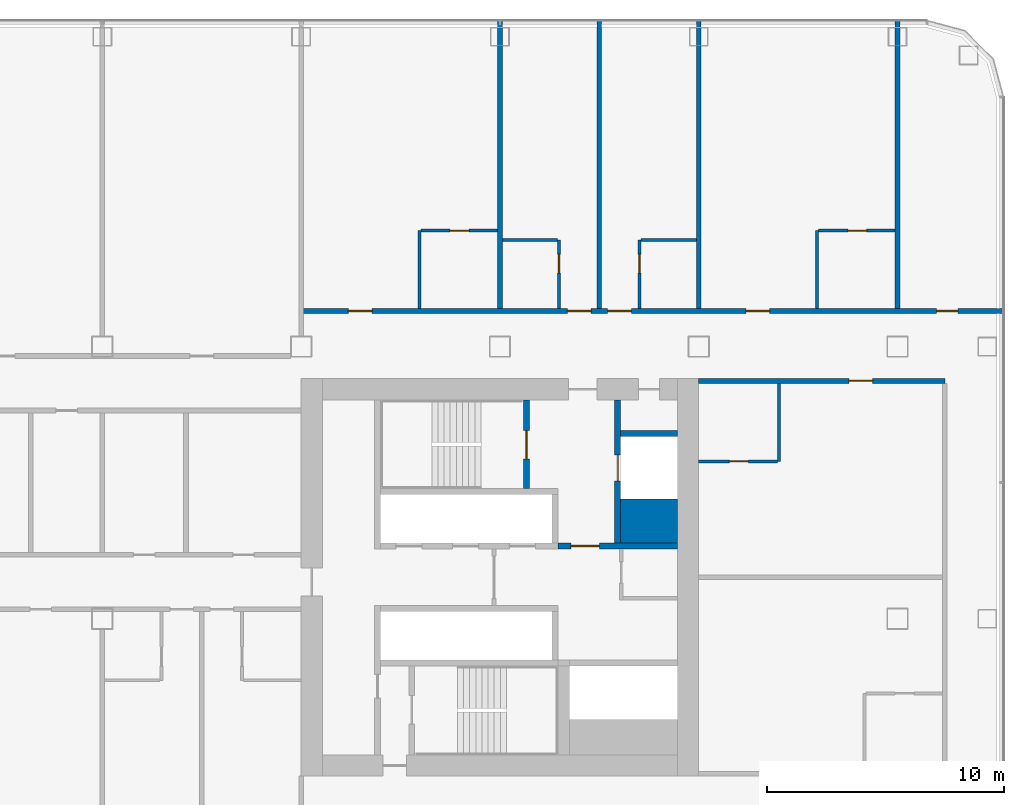
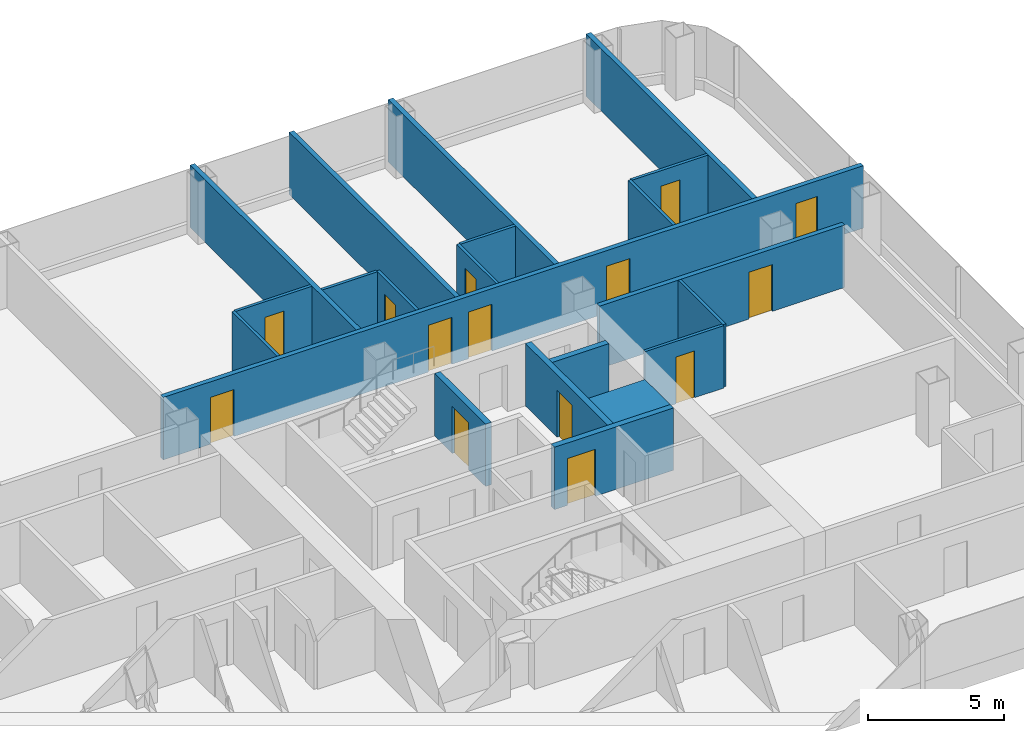
# One storey, part 20 of 29: 21 walls, 14 doors, 14 openings.
"""IFC4 building model written with IfcOpenShell, lengths in metres."""

from ifc_helpers import new_model, si_unit, direction, frame, frame_2d, origin, place, context, subcontext, project, spatial, rectangle, extrude, material, layer, layer_set, type_object, element, fill, save


model = new_model("IFC4")

# Units and contexts
model_context = context("Model", 3, precision=1e-05, world=origin(), true_north=direction((0.0, 1.0)))
body_context = subcontext(model_context, "Body", "Model", "MODEL_VIEW")
ifc_project = project(units=[si_unit("LENGTHUNIT", "METRE"), si_unit("AREAUNIT", "SQUARE_METRE"), si_unit("VOLUMEUNIT", "CUBIC_METRE"), si_unit("PLANEANGLEUNIT", "RADIAN"), si_unit("MASSUNIT", "GRAM", prefix="KILO")], contexts=[model_context])

# Site, building, storey
site_placement = place(None, origin())
site = spatial("IfcSite", under=ifc_project, at=site_placement, CompositionType="ELEMENT")
building_placement = place(site_placement, origin())
building = spatial("IfcBuilding", under=site, at=building_placement, Name="Hakoniwa Tower and Hamabe Station Hall", CompositionType="ELEMENT")
storey_placement = place(building_placement, frame((0.0, 0.0, 113.800048828125)))
storey = spatial("IfcBuildingStorey", under=building, at=storey_placement, Name="L32", CompositionType="ELEMENT", Elevation=113.800048828125)

# Wall, opening, door
ifc_material_1 = material(Name="Gypsum board partition", Category="gypsum")
ifc_layer_1 = layer(ifc_material_1, 0.125)
ifc_layer_set_1 = layer_set([ifc_layer_1], Name="Bathroom Partition 125")
wall_type_1 = type_object("IfcWallType", Name="Bathroom Partition 125", PredefinedType="PARTITIONING", material=ifc_layer_set_1)
wall_1_placement = place(storey_placement, frame((33.60009765625, 4.89990234375, 0.0), z_axis=(0.0, 0.0, 1.0), x_axis=(1.0, 0.0, 0.0)))
wall_1 = element("IfcWall", 1, at=wall_1_placement, inside=storey, type_object=wall_type_1, Name="GW-L32-017", PredefinedType="PARTITIONING", context=body_context, shape_type="SweptSolid", body=[
    extrude(rectangle(XDim=3.33740234375, YDim=0.125, at=frame_2d((1.668701171875, 0.0))), origin(), (0.0, 0.0, 1.0), 2.800048828125),
])
opening_1_placement = place(wall_1_placement, frame((1.300048828125, 0.0, 0.0)))
opening_1 = element("IfcOpeningElement", 2, at=opening_1_placement, cuts=wall_1, Name="Opening GD-G2C2-29", PredefinedType="OPENING", context=body_context, shape_type="SweptSolid", body=[
    extrude(rectangle(XDim=0.800048828125, YDim=2.10009765625, at=frame_2d((0.39990234375, 1.050048828125))), frame((0.0, 0.072509765625, 0.0), z_axis=(0.0, -1.0, 0.0), x_axis=(1.0, 0.0, 0.0)), (0.0, 0.0, 1.0), 0.14501953125),
])
ifc_material_2 = material(Name="Timber door leaf", Category="wood")
door_type_1 = type_object("IfcDoorType", Name="Bathroom Door 800", OperationType="SINGLE_SWING_LEFT", PredefinedType="DOOR", material=ifc_material_2)
door_1_placement = place(opening_1_placement, origin())
door_1 = element("IfcDoor", 3, at=door_1_placement, inside=storey, type_object=door_type_1, Name="Door GD-G2C2-29", OperationType="SINGLE_SWING_LEFT", OverallHeight=2.10009765625, OverallWidth=0.800048828125, PredefinedType="DOOR", context=body_context, shape_type="SweptSolid", body=[
    extrude(rectangle(XDim=0.800048828125, YDim=2.10009765625, at=frame_2d((0.39990234375, 1.050048828125))), frame((0.0, 0.02490234375, 0.0), z_axis=(0.0, -1.0, 0.0), x_axis=(1.0, 0.0, 0.0)), (0.0, 0.0, 1.0), 0.050048828125),
])
fill(opening_1, door_1)

# Walls
for number, where, z_axis, x_axis, name in (
    (4, (25.300048828125, 14.25, 0.0), (0.0, 0.0, 1.0), (1.0, 0.0, 0.0), "GW-L32-031"),
    (5, (31.16259765625, 14.25, 0.0), (0.0, 0.0, 1.0), (1.0, 0.0, 0.0), "GW-L32-032"),
):
    element("IfcWall", number, at=place(storey_placement, frame(where, z_axis=z_axis, x_axis=x_axis)), inside=storey, type_object=wall_type_1, Name=name, PredefinedType="PARTITIONING", context=body_context, shape_type="SweptSolid", body=[
        extrude(rectangle(XDim=2.33740234375, YDim=0.125, at=frame_2d((1.168701171875, 0.0))), origin(), (0.0, 0.0, 1.0), 2.800048828125),
    ])

# Wall, opening, door
wall_2_placement = place(storey_placement, frame((21.862548828125, 14.64990234375, 0.0), z_axis=(0.0, 0.0, 1.0), x_axis=(1.0, 0.0, 0.0)))
wall_2 = element("IfcWall", 6, at=wall_2_placement, inside=storey, type_object=wall_type_1, Name="GW-L32-034", PredefinedType="PARTITIONING", context=body_context, shape_type="SweptSolid", body=[
    extrude(rectangle(XDim=3.237548828125, YDim=0.125, at=frame_2d((1.61865234375, 0.0))), origin(), (0.0, 0.0, 1.0), 2.800048828125),
])
opening_2_placement = place(wall_2_placement, frame((1.237548828125, 0.0, 0.0)))
opening_2 = element("IfcOpeningElement", 7, at=opening_2_placement, cuts=wall_2, Name="Opening GD-G2C2-54", PredefinedType="OPENING", context=body_context, shape_type="SweptSolid", body=[
    extrude(rectangle(XDim=0.800048828125, YDim=2.10009765625, at=frame_2d((0.39990234375, 1.050048828125))), frame((0.0, 0.072509765625, 0.0), z_axis=(0.0, -1.0, 0.0), x_axis=(1.0, 0.0, 0.0)), (0.0, 0.0, 1.0), 0.14501953125),
])
door_2_placement = place(opening_2_placement, origin())
door_2 = element("IfcDoor", 8, at=door_2_placement, inside=storey, type_object=door_type_1, Name="Door GD-G2C2-54", OperationType="SINGLE_SWING_RIGHT", OverallHeight=2.10009765625, OverallWidth=0.800048828125, PredefinedType="DOOR", context=body_context, shape_type="SweptSolid", body=[
    extrude(rectangle(XDim=0.800048828125, YDim=2.10009765625, at=frame_2d((0.39990234375, 1.050048828125))), frame((0.0, 0.02490234375, 0.0), z_axis=(0.0, -1.0, 0.0), x_axis=(1.0, 0.0, 0.0)), (0.0, 0.0, 1.0), 0.050048828125),
])
fill(opening_2, door_2)

wall_3_placement = place(storey_placement, frame((38.66259765625, 14.64990234375, 0.0), z_axis=(0.0, 0.0, 1.0), x_axis=(1.0, 0.0, 0.0)))
wall_3 = element("IfcWall", 9, at=wall_3_placement, inside=storey, type_object=wall_type_1, Name="GW-L32-035", PredefinedType="PARTITIONING", context=body_context, shape_type="SweptSolid", body=[
    extrude(rectangle(XDim=3.2373046875, YDim=0.125, at=frame_2d((1.61865234375, 0.0))), origin(), (0.0, 0.0, 1.0), 2.800048828125),
])
opening_3_placement = place(wall_3_placement, frame((1.237548828125, 0.0, 0.0)))
opening_3 = element("IfcOpeningElement", 10, at=opening_3_placement, cuts=wall_3, Name="Opening GD-G2C2-55", PredefinedType="OPENING", context=body_context, shape_type="SweptSolid", body=[
    extrude(rectangle(XDim=0.800048828125, YDim=2.10009765625, at=frame_2d((0.39990234375, 1.050048828125))), frame((0.0, 0.072509765625, 0.0), z_axis=(0.0, -1.0, 0.0), x_axis=(1.0, 0.0, 0.0)), (0.0, 0.0, 1.0), 0.14501953125),
])
door_3_placement = place(opening_3_placement, origin())
door_3 = element("IfcDoor", 11, at=door_3_placement, inside=storey, type_object=door_type_1, Name="Door GD-G2C2-55", OperationType="SINGLE_SWING_LEFT", OverallHeight=2.10009765625, OverallWidth=0.800048828125, PredefinedType="DOOR", context=body_context, shape_type="SweptSolid", body=[
    extrude(rectangle(XDim=0.800048828125, YDim=2.10009765625, at=frame_2d((0.39990234375, 1.050048828125))), frame((0.0, 0.02490234375, 0.0), z_axis=(0.0, -1.0, 0.0), x_axis=(1.0, 0.0, 0.0)), (0.0, 0.0, 1.0), 0.050048828125),
])
fill(opening_3, door_3)

# Wall
wall_4_placement = place(storey_placement, frame((21.800048828125, 11.35009765625, 0.0), z_axis=(0.0, 0.0, 1.0), x_axis=(0.0, 1.0, 0.0)))
element("IfcWall", 12, at=wall_4_placement, inside=storey, type_object=wall_type_1, Name="GW-L32-083", PredefinedType="PARTITIONING", context=body_context, shape_type="SweptSolid", body=[
    extrude(rectangle(XDim=3.2998046875, YDim=0.125, at=frame_2d((1.64990234375, 0.0))), origin(), (0.0, 0.0, 1.0), 2.800048828125),
])

# Wall, opening, door
wall_5_placement = place(storey_placement, frame((27.699951171875, 11.35009765625, 0.0), z_axis=(0.0, 0.0, 1.0), x_axis=(0.0, 1.0, 0.0)))
wall_5 = element("IfcWall", 13, at=wall_5_placement, inside=storey, type_object=wall_type_1, Name="GW-L32-086", PredefinedType="PARTITIONING", context=body_context, shape_type="SweptSolid", body=[
    extrude(rectangle(XDim=2.89990234375, YDim=0.125, at=frame_2d((1.449951171875, 0.0))), origin(), (0.0, 0.0, 1.0), 2.800048828125),
])
opening_4_placement = place(wall_5_placement, frame((1.5, 0.0, 0.0)))
opening_4 = element("IfcOpeningElement", 14, at=opening_4_placement, cuts=wall_5, Name="Opening GD-G2C2-66", PredefinedType="OPENING", context=body_context, shape_type="SweptSolid", body=[
    extrude(rectangle(XDim=0.800048828125, YDim=2.10009765625, at=frame_2d((0.39990234375, 1.050048828125))), frame((0.0, 0.072509765625, 0.0), z_axis=(0.0, -1.0, 0.0), x_axis=(1.0, 0.0, 0.0)), (0.0, 0.0, 1.0), 0.14501953125),
])
door_4_placement = place(opening_4_placement, origin())
door_4 = element("IfcDoor", 15, at=door_4_placement, inside=storey, type_object=door_type_1, Name="Door GD-G2C2-66", OperationType="SINGLE_SWING_LEFT", OverallHeight=2.10009765625, OverallWidth=0.800048828125, PredefinedType="DOOR", context=body_context, shape_type="SweptSolid", body=[
    extrude(rectangle(XDim=0.800048828125, YDim=2.10009765625, at=frame_2d((0.39990234375, 1.050048828125))), frame((0.0, 0.02490234375, 0.0), z_axis=(0.0, -1.0, 0.0), x_axis=(1.0, 0.0, 0.0)), (0.0, 0.0, 1.0), 0.050048828125),
])
fill(opening_4, door_4)

wall_6_placement = place(storey_placement, frame((31.10009765625, 11.35009765625, 0.0), z_axis=(0.0, 0.0, 1.0), x_axis=(0.0, 1.0, 0.0)))
wall_6 = element("IfcWall", 16, at=wall_6_placement, inside=storey, type_object=wall_type_1, Name="GW-L32-089", PredefinedType="PARTITIONING", context=body_context, shape_type="SweptSolid", body=[
    extrude(rectangle(XDim=2.89990234375, YDim=0.125, at=frame_2d((1.449951171875, 0.0))), origin(), (0.0, 0.0, 1.0), 2.800048828125),
])
opening_5_placement = place(wall_6_placement, frame((1.5, 0.0, 0.0)))
opening_5 = element("IfcOpeningElement", 17, at=opening_5_placement, cuts=wall_6, Name="Opening GD-G2C2-67", PredefinedType="OPENING", context=body_context, shape_type="SweptSolid", body=[
    extrude(rectangle(XDim=0.800048828125, YDim=2.10009765625, at=frame_2d((0.39990234375, 1.050048828125))), frame((0.0, 0.072509765625, 0.0), z_axis=(0.0, -1.0, 0.0), x_axis=(1.0, 0.0, 0.0)), (0.0, 0.0, 1.0), 0.14501953125),
])
door_5_placement = place(opening_5_placement, origin())
door_5 = element("IfcDoor", 18, at=door_5_placement, inside=storey, type_object=door_type_1, Name="Door GD-G2C2-67", OperationType="SINGLE_SWING_RIGHT", OverallHeight=2.10009765625, OverallWidth=0.800048828125, PredefinedType="DOOR", context=body_context, shape_type="SweptSolid", body=[
    extrude(rectangle(XDim=0.800048828125, YDim=2.10009765625, at=frame_2d((0.39990234375, 1.050048828125))), frame((0.0, 0.02490234375, 0.0), z_axis=(0.0, -1.0, 0.0), x_axis=(1.0, 0.0, 0.0)), (0.0, 0.0, 1.0), 0.050048828125),
])
fill(opening_5, door_5)

# Walls
wall_7_placement = place(storey_placement, frame((37.0, 4.89990234375, 0.0), z_axis=(0.0, 0.0, 1.0), x_axis=(0.0, 1.0, 0.0)))
element("IfcWall", 19, at=wall_7_placement, inside=storey, type_object=wall_type_1, Name="GW-L32-092", PredefinedType="PARTITIONING", context=body_context, shape_type="SweptSolid", body=[
    extrude(rectangle(XDim=3.300048828125, YDim=0.125, at=frame_2d((1.64990234375, 0.0))), origin(), (0.0, 0.0, 1.0), 2.800048828125),
])
wall_8_placement = place(storey_placement, frame((38.60009765625, 11.35009765625, 0.0), z_axis=(0.0, 0.0, 1.0), x_axis=(0.0, 1.0, 0.0)))
element("IfcWall", 20, at=wall_8_placement, inside=storey, type_object=wall_type_1, Name="GW-L32-093", PredefinedType="PARTITIONING", context=body_context, shape_type="SweptSolid", body=[
    extrude(rectangle(XDim=3.2998046875, YDim=0.125, at=frame_2d((1.64990234375, 0.0))), origin(), (0.0, 0.0, 1.0), 2.800048828125),
])
ifc_material_3 = material(Name="Concrete C72", Category="concrete")
ifc_layer_2 = layer(ifc_material_3, 1.85009765625)
ifc_layer_set_2 = layer_set([ifc_layer_2], Name="CORE WEB WALL 1850 C72")
wall_type_2 = type_object("IfcWallType", Name="CORE WEB WALL 1850 C72", PredefinedType="SHEAR", material=ifc_layer_set_2)
wall_9_placement = place(storey_placement, frame((30.300048828125, 2.375, 0.0), z_axis=(0.0, 0.0, 1.0), x_axis=(1.0, 0.0, 0.0)))
element("IfcWall", 21, at=wall_9_placement, inside=storey, type_object=wall_type_2, Name="Core wall CA east", PredefinedType="SHEAR", context=body_context, shape_type="SweptSolid", body=[
    extrude(rectangle(XDim=2.39990234375, YDim=1.85009765625, at=frame_2d((1.199951171875, 0.0))), origin(), (0.0, 0.0, 1.0), 2.800048828125),
])

# Wall, opening, door
ifc_material_4 = material(Name="Concrete C72", Category="concrete")
ifc_layer_3 = layer(ifc_material_4, 0.25)
ifc_layer_set_3 = layer_set([ifc_layer_3], Name="CORE WEB WALL 250 C72")
wall_type_3 = type_object("IfcWallType", Name="CORE WEB WALL 250 C72", PredefinedType="SHEAR", material=ifc_layer_set_3)
wall_10_placement = place(storey_placement, frame((26.324951171875, 3.75, 0.0), z_axis=(0.0, 0.0, 1.0), x_axis=(0.0, 1.0, 0.0)))
wall_10 = element("IfcWall", 22, at=wall_10_placement, inside=storey, type_object=wall_type_3, Name="Core wall NSE east", PredefinedType="SHEAR", context=body_context, shape_type="SweptSolid", body=[
    extrude(rectangle(XDim=3.75, YDim=0.25, at=frame_2d((1.875, 0.0))), origin(), (0.0, 0.0, 1.0), 2.800048828125),
])
opening_6_placement = place(wall_10_placement, frame((1.25, 0.0, 0.0)))
opening_6 = element("IfcOpeningElement", 23, at=opening_6_placement, cuts=wall_10, Name="Opening CD-E-SN-12", PredefinedType="OPENING", context=body_context, shape_type="SweptSolid", body=[
    extrude(rectangle(XDim=1.199951171875, YDim=2.10009765625, at=frame_2d((0.60009765625, 1.050048828125))), frame((0.0, 0.135009765625, 0.0), z_axis=(0.0, -1.0, 0.0), x_axis=(1.0, 0.0, 0.0)), (0.0, 0.0, 1.0), 0.27001953125),
])
ifc_material_5 = material(Name="Steel fire door", Category="steel")
door_type_2 = type_object("IfcDoorType", Name="CORE DOOR 1200 FD60", OperationType="DOUBLE_DOOR_SINGLE_SWING", PredefinedType="DOOR", material=ifc_material_5)
door_6_placement = place(opening_6_placement, origin())
door_6 = element("IfcDoor", 24, at=door_6_placement, inside=storey, type_object=door_type_2, Name="Escape stair door", OperationType="DOUBLE_DOOR_SINGLE_SWING", OverallHeight=2.10009765625, OverallWidth=1.199951171875, PredefinedType="DOOR", context=body_context, shape_type="SweptSolid", body=[
    extrude(rectangle(XDim=1.199951171875, YDim=2.10009765625, at=frame_2d((0.60009765625, 1.050048828125))), frame((0.0, 0.02490234375, 0.0), z_axis=(0.0, -1.0, 0.0), x_axis=(1.0, 0.0, 0.0)), (0.0, 0.0, 1.0), 0.050048828125),
])
fill(opening_6, door_6)

wall_11_placement = place(storey_placement, frame((27.64990234375, 1.324951171875, 0.0), z_axis=(0.0, 0.0, 1.0), x_axis=(1.0, 0.0, 0.0)))
wall_11 = element("IfcWall", 25, at=wall_11_placement, inside=storey, type_object=wall_type_3, Name="Core wall ELN east", PredefinedType="SHEAR", context=body_context, shape_type="SweptSolid", body=[
    extrude(rectangle(XDim=5.050048828125, YDim=0.25, at=frame_2d((2.52490234375, 0.0))), origin(), (0.0, 0.0, 1.0), 2.800048828125),
])
opening_7_placement = place(wall_11_placement, frame((0.550048828125, 0.0, 0.0)))
opening_7 = element("IfcOpeningElement", 26, at=opening_7_placement, cuts=wall_11, Name="Opening CD-E-FL-12", PredefinedType="OPENING", context=body_context, shape_type="SweptSolid", body=[
    extrude(rectangle(XDim=1.199951171875, YDim=2.10009765625, at=frame_2d((0.60009765625, 1.050048828125))), frame((0.0, 0.135009765625, 0.0), z_axis=(0.0, -1.0, 0.0), x_axis=(1.0, 0.0, 0.0)), (0.0, 0.0, 1.0), 0.27001953125),
])
door_7_placement = place(opening_7_placement, origin())
door_7 = element("IfcDoor", 27, at=door_7_placement, inside=storey, type_object=door_type_2, Name="Stair vestibule door to the fire-fighting lobby", OperationType="DOUBLE_DOOR_SINGLE_SWING", OverallHeight=2.10009765625, OverallWidth=1.199951171875, PredefinedType="DOOR", context=body_context, shape_type="SweptSolid", body=[
    extrude(rectangle(XDim=1.199951171875, YDim=2.10009765625, at=frame_2d((0.60009765625, 1.050048828125))), frame((0.0, 0.02490234375, 0.0), z_axis=(0.0, -1.0, 0.0), x_axis=(1.0, 0.0, 0.0)), (0.0, 0.0, 1.0), 0.050048828125),
])
fill(opening_7, door_7)

wall_12_placement = place(storey_placement, frame((30.175048828125, 1.449951171875, 0.0), z_axis=(0.0, 0.0, 1.0), x_axis=(0.0, 1.0, 0.0)))
wall_12 = element("IfcWall", 28, at=wall_12_placement, inside=storey, type_object=wall_type_3, Name="Core wall FFF east", PredefinedType="SHEAR", context=body_context, shape_type="SweptSolid", body=[
    extrude(rectangle(XDim=6.050048828125, YDim=0.25, at=frame_2d((3.02490234375, 0.0))), origin(), (0.0, 0.0, 1.0), 2.800048828125),
])
opening_8_placement = place(wall_12_placement, frame((2.625, 0.0, 0.0)))
opening_8 = element("IfcOpeningElement", 29, at=opening_8_placement, cuts=wall_12, Name="Opening LD-FF2", PredefinedType="OPENING", context=body_context, shape_type="SweptSolid", body=[
    extrude(rectangle(XDim=1.10009765625, YDim=2.10009765625, at=frame_2d((0.550048828125, 1.050048828125))), frame((0.0, 0.135009765625, 0.0), z_axis=(0.0, -1.0, 0.0), x_axis=(1.0, 0.0, 0.0)), (0.0, 0.0, 1.0), 0.27001953125),
])
ifc_material_6 = material(Name="Stainless steel SUS304", Category="steel")
door_type_3 = type_object("IfcDoorType", Name="LIFT LANDING DOOR 1100 FD60", OperationType="DOUBLE_DOOR_SLIDING", PredefinedType="DOOR", material=ifc_material_6)
door_8_placement = place(opening_8_placement, origin())
door_8 = element("IfcDoor", 30, at=door_8_placement, inside=storey, type_object=door_type_3, Name="Lift landing door FF2 L32", OperationType="DOUBLE_DOOR_SLIDING", OverallHeight=2.10009765625, OverallWidth=1.10009765625, PredefinedType="DOOR", context=body_context, shape_type="SweptSolid", body=[
    extrude(rectangle(XDim=1.10009765625, YDim=2.10009765625, at=frame_2d((0.550048828125, 1.050048828125))), frame((0.0, 0.02490234375, 0.0), z_axis=(0.0, -1.0, 0.0), x_axis=(1.0, 0.0, 0.0)), (0.0, 0.0, 1.0), 0.050048828125),
])
fill(opening_8, door_8)

# Wall
wall_13_placement = place(storey_placement, frame((30.300048828125, 6.074951171875, 0.0), z_axis=(0.0, 0.0, 1.0), x_axis=(1.0, 0.0, 0.0)))
element("IfcWall", 31, at=wall_13_placement, inside=storey, type_object=wall_type_3, Name="Core wall C2 east", PredefinedType="SHEAR", context=body_context, shape_type="SweptSolid", body=[
    extrude(rectangle(XDim=2.39990234375, YDim=0.25, at=frame_2d((1.199951171875, 0.0))), origin(), (0.0, 0.0, 1.0), 2.800048828125),
])

# Wall, opening, door
ifc_material_7 = material(Name="Fire-rated gypsum board partition", Category="gypsum")
ifc_layer_4 = layer(ifc_material_7, 0.199951171875)
ifc_layer_set_4 = layer_set([ifc_layer_4], Name="Corridor Wall 200")
wall_type_4 = type_object("IfcWallType", Name="Corridor Wall 200", PredefinedType="PARTITIONING", material=ifc_layer_set_4)
wall_14_placement = place(storey_placement, frame((33.60009765625, 8.300048828125, 0.0), z_axis=(0.0, 0.0, 1.0), x_axis=(1.0, 0.0, 0.0)))
wall_14 = element("IfcWall", 32, at=wall_14_placement, inside=storey, type_object=wall_type_4, Name="GW-L32-020", PredefinedType="PARTITIONING", context=body_context, shape_type="SweptSolid", body=[
    extrude(rectangle(XDim=10.39990234375, YDim=0.199951171875, at=frame_2d((5.199951171875, 0.0))), origin(), (0.0, 0.0, 1.0), 2.800048828125),
])
opening_9_placement = place(wall_14_placement, frame((6.35009765625, 0.0, 0.0)))
opening_9 = element("IfcOpeningElement", 33, at=opening_9_placement, cuts=wall_14, Name="Opening GD-G2C2-35", PredefinedType="OPENING", context=body_context, shape_type="SweptSolid", body=[
    extrude(rectangle(XDim=1.0, YDim=2.10009765625, at=frame_2d((0.5, 1.050048828125))), frame((0.0, 0.10986328125, 0.0), z_axis=(0.0, -1.0, 0.0), x_axis=(1.0, 0.0, 0.0)), (0.0, 0.0, 1.0), 0.219970703125),
])
ifc_material_8 = material(Name="Timber door leaf", Category="wood")
door_type_4 = type_object("IfcDoorType", Name="Guest Entrance Door 1000", OperationType="SINGLE_SWING_LEFT", PredefinedType="DOOR", material=ifc_material_8)
door_9_placement = place(opening_9_placement, origin())
door_9 = element("IfcDoor", 34, at=door_9_placement, inside=storey, type_object=door_type_4, Name="Door GD-G2C2-35", OperationType="SINGLE_SWING_LEFT", OverallHeight=2.10009765625, OverallWidth=1.0, PredefinedType="DOOR", context=body_context, shape_type="SweptSolid", body=[
    extrude(rectangle(XDim=1.0, YDim=2.10009765625, at=frame_2d((0.5, 1.050048828125))), frame((0.0, 0.02490234375, 0.0), z_axis=(0.0, -1.0, 0.0), x_axis=(1.0, 0.0, 0.0)), (0.0, 0.0, 1.0), 0.050048828125),
])
fill(opening_9, door_9)

# Wall, openings, doors
wall_15_placement = place(storey_placement, frame((16.800048828125, 11.25, 0.0), z_axis=(0.0, 0.0, 1.0), x_axis=(1.0, 0.0, 0.0)))
wall_15 = element("IfcWall", 35, at=wall_15_placement, inside=storey, type_object=wall_type_4, Name="GW-L32-023", PredefinedType="PARTITIONING", context=body_context, shape_type="SweptSolid", body=[
    extrude(rectangle(XDim=29.699951171875, YDim=0.199951171875, at=frame_2d((14.85009765625, 0.0))), origin(), (0.0, 0.0, 1.0), 2.800048828125),
])
opening_10_placement = place(wall_15_placement, frame((2.0, 0.0, 0.0)))
opening_10 = element("IfcOpeningElement", 36, at=opening_10_placement, cuts=wall_15, Name="Opening GD-G2C2-47", PredefinedType="OPENING", context=body_context, shape_type="SweptSolid", body=[
    extrude(rectangle(XDim=1.0, YDim=2.10009765625, at=frame_2d((0.5, 1.050048828125))), frame((0.0, 0.10986328125, 0.0), z_axis=(0.0, -1.0, 0.0), x_axis=(1.0, 0.0, 0.0)), (0.0, 0.0, 1.0), 0.219970703125),
])
opening_11_placement = place(wall_15_placement, frame((11.25, 0.0, 0.0)))
opening_11 = element("IfcOpeningElement", 37, at=opening_11_placement, cuts=wall_15, Name="Opening GD-G2C2-48", PredefinedType="OPENING", context=body_context, shape_type="SweptSolid", body=[
    extrude(rectangle(XDim=1.0, YDim=2.10009765625, at=frame_2d((0.5, 1.050048828125))), frame((0.0, 0.10986328125, 0.0), z_axis=(0.0, -1.0, 0.0), x_axis=(1.0, 0.0, 0.0)), (0.0, 0.0, 1.0), 0.219970703125),
])
opening_12_placement = place(wall_15_placement, frame((12.949951171875, 0.0, 0.0)))
opening_12 = element("IfcOpeningElement", 38, at=opening_12_placement, cuts=wall_15, Name="Opening GD-G2C2-49", PredefinedType="OPENING", context=body_context, shape_type="SweptSolid", body=[
    extrude(rectangle(XDim=1.0, YDim=2.10009765625, at=frame_2d((0.5, 1.050048828125))), frame((0.0, 0.10986328125, 0.0), z_axis=(0.0, -1.0, 0.0), x_axis=(1.0, 0.0, 0.0)), (0.0, 0.0, 1.0), 0.219970703125),
])
opening_13_placement = place(wall_15_placement, frame((18.800048828125, 0.0, 0.0)))
opening_13 = element("IfcOpeningElement", 39, at=opening_13_placement, cuts=wall_15, Name="Opening GD-G2C2-50", PredefinedType="OPENING", context=body_context, shape_type="SweptSolid", body=[
    extrude(rectangle(XDim=1.0, YDim=2.10009765625, at=frame_2d((0.5, 1.050048828125))), frame((0.0, 0.10986328125, 0.0), z_axis=(0.0, -1.0, 0.0), x_axis=(1.0, 0.0, 0.0)), (0.0, 0.0, 1.0), 0.219970703125),
])
opening_14_placement = place(wall_15_placement, frame((26.85009765625, 0.0, 0.0)))
opening_14 = element("IfcOpeningElement", 40, at=opening_14_placement, cuts=wall_15, Name="Opening GD-G2C2-51", PredefinedType="OPENING", context=body_context, shape_type="SweptSolid", body=[
    extrude(rectangle(XDim=0.89990234375, YDim=2.10009765625, at=frame_2d((0.449951171875, 1.050048828125))), frame((0.0, 0.10986328125, 0.0), z_axis=(0.0, -1.0, 0.0), x_axis=(1.0, 0.0, 0.0)), (0.0, 0.0, 1.0), 0.219970703125),
])
door_10_placement = place(opening_10_placement, origin())
door_10 = element("IfcDoor", 41, at=door_10_placement, inside=storey, type_object=door_type_4, Name="Door GD-G2C2-47", OperationType="SINGLE_SWING_LEFT", OverallHeight=2.10009765625, OverallWidth=1.0, PredefinedType="DOOR", context=body_context, shape_type="SweptSolid", body=[
    extrude(rectangle(XDim=1.0, YDim=2.10009765625, at=frame_2d((0.5, 1.050048828125))), frame((0.0, 0.02490234375, 0.0), z_axis=(0.0, -1.0, 0.0), x_axis=(1.0, 0.0, 0.0)), (0.0, 0.0, 1.0), 0.050048828125),
])
fill(opening_10, door_10)
door_11_placement = place(opening_11_placement, origin())
door_11 = element("IfcDoor", 42, at=door_11_placement, inside=storey, type_object=door_type_4, Name="Door GD-G2C2-48", OperationType="SINGLE_SWING_RIGHT", OverallHeight=2.10009765625, OverallWidth=1.0, PredefinedType="DOOR", context=body_context, shape_type="SweptSolid", body=[
    extrude(rectangle(XDim=1.0, YDim=2.10009765625, at=frame_2d((0.5, 1.050048828125))), frame((0.0, 0.02490234375, 0.0), z_axis=(0.0, -1.0, 0.0), x_axis=(1.0, 0.0, 0.0)), (0.0, 0.0, 1.0), 0.050048828125),
])
fill(opening_11, door_11)
door_12_placement = place(opening_12_placement, origin())
door_12 = element("IfcDoor", 43, at=door_12_placement, inside=storey, type_object=door_type_4, Name="Door GD-G2C2-49", OperationType="SINGLE_SWING_LEFT", OverallHeight=2.10009765625, OverallWidth=1.0, PredefinedType="DOOR", context=body_context, shape_type="SweptSolid", body=[
    extrude(rectangle(XDim=1.0, YDim=2.10009765625, at=frame_2d((0.5, 1.050048828125))), frame((0.0, 0.02490234375, 0.0), z_axis=(0.0, -1.0, 0.0), x_axis=(1.0, 0.0, 0.0)), (0.0, 0.0, 1.0), 0.050048828125),
])
fill(opening_12, door_12)
door_13_placement = place(opening_13_placement, origin())
door_13 = element("IfcDoor", 44, at=door_13_placement, inside=storey, type_object=door_type_4, Name="Door GD-G2C2-50", OperationType="SINGLE_SWING_LEFT", OverallHeight=2.10009765625, OverallWidth=1.0, PredefinedType="DOOR", context=body_context, shape_type="SweptSolid", body=[
    extrude(rectangle(XDim=1.0, YDim=2.10009765625, at=frame_2d((0.5, 1.050048828125))), frame((0.0, 0.02490234375, 0.0), z_axis=(0.0, -1.0, 0.0), x_axis=(1.0, 0.0, 0.0)), (0.0, 0.0, 1.0), 0.050048828125),
])
fill(opening_13, door_13)
ifc_material_9 = material(Name="Timber door leaf", Category="wood")
door_type_5 = type_object("IfcDoorType", Name="Service Door 900", OperationType="SINGLE_SWING_LEFT", PredefinedType="DOOR", material=ifc_material_9)
door_14_placement = place(opening_14_placement, origin())
door_14 = element("IfcDoor", 45, at=door_14_placement, inside=storey, type_object=door_type_5, Name="Door GD-G2C2-51", OperationType="SINGLE_SWING_RIGHT", OverallHeight=2.10009765625, OverallWidth=0.89990234375, PredefinedType="DOOR", context=body_context, shape_type="SweptSolid", body=[
    extrude(rectangle(XDim=0.89990234375, YDim=2.10009765625, at=frame_2d((0.449951171875, 1.050048828125))), frame((0.0, 0.02490234375, 0.0), z_axis=(0.0, -1.0, 0.0), x_axis=(1.0, 0.0, 0.0)), (0.0, 0.0, 1.0), 0.050048828125),
])
fill(opening_14, door_14)

# Walls
ifc_material_10 = material(Name="Fire-rated gypsum board partition", Category="gypsum")
ifc_layer_5 = layer(ifc_material_10, 0.199951171875)
ifc_layer_set_5 = layer_set([ifc_layer_5], Name="Party Wall 200")
wall_type_5 = type_object("IfcWallType", Name="Party Wall 200", PredefinedType="PARTITIONING", material=ifc_layer_set_5)
for number, where, z_axis, x_axis, name in (
    (46, (25.199951171875, 11.35009765625, 0.0), (0.0, 0.0, 1.0), (0.0, 1.0, 0.0), "GW-L32-085"),
    (47, (29.39990234375, 11.35009765625, 0.0), (0.0, 0.0, 1.0), (0.0, 1.0, 0.0), "GW-L32-088"),
    (48, (33.60009765625, 11.35009765625, 0.0), (0.0, 0.0, 1.0), (0.0, 1.0, 0.0), "GW-L32-091"),
    (49, (42.0, 11.35009765625, 0.0), (0.0, 0.0, 1.0), (0.0, 1.0, 0.0), "GW-L32-096"),
):
    element("IfcWall", number, at=place(storey_placement, frame(where, z_axis=z_axis, x_axis=x_axis)), inside=storey, type_object=wall_type_5, Name=name, PredefinedType="PARTITIONING", context=body_context, shape_type="SweptSolid", body=[
        extrude(rectangle(XDim=12.199951171875, YDim=0.199951171875, at=frame_2d((6.10009765625, 0.0))), origin(), (0.0, 0.0, 1.0), 2.800048828125),
    ])

save(model, "model.ifc")
